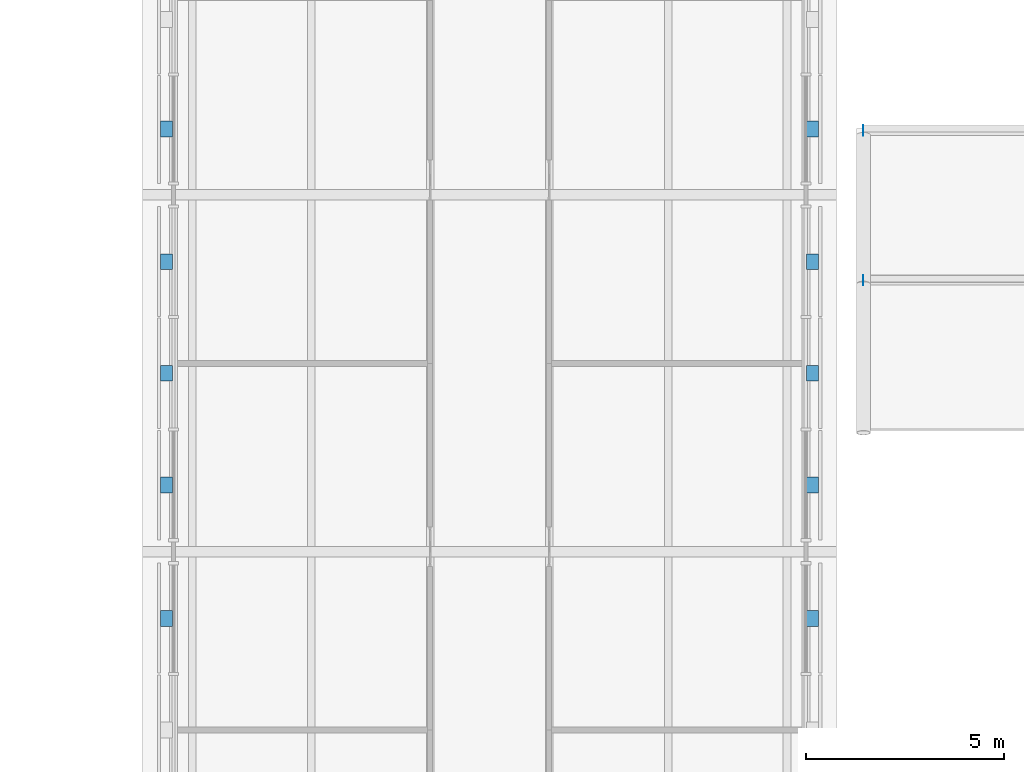
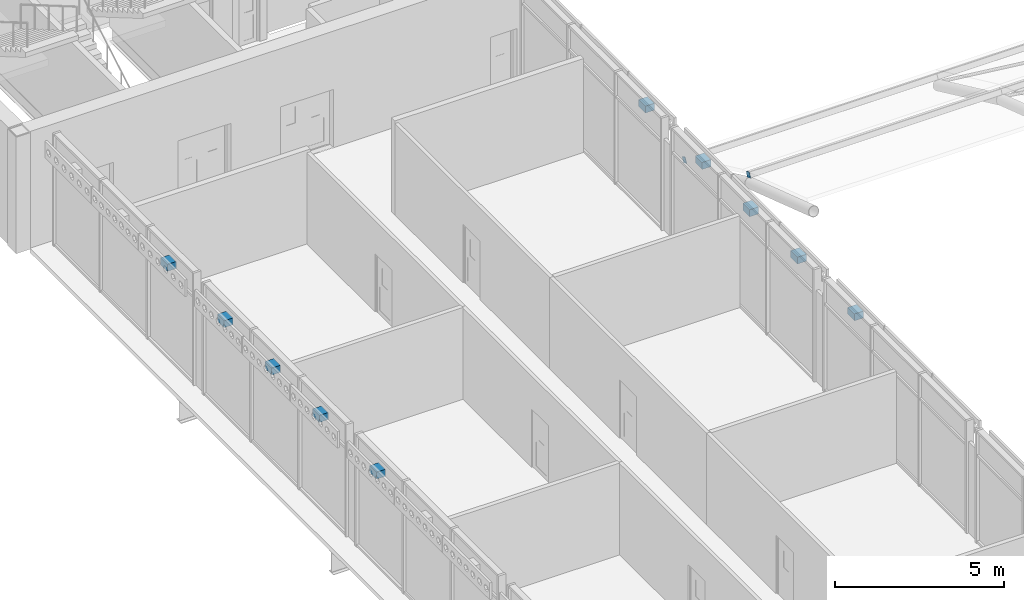
# One storey, part 31 of 54: 12 discrete accessories.
"""IFC4 building model written with IfcOpenShell, lengths in metres."""

from ifc_helpers import new_model, si_unit, direction, frame, origin, origin_2d, place, context, subcontext, project, spatial, rectangle, extrude, material, type_object, element, save


model = new_model("IFC4")

# Units and contexts
model_context = context("Model", 3, precision=1e-05, world=origin(), true_north=direction((0.0, 1.0)))
body_context = subcontext(model_context, "Body", "Model", "MODEL_VIEW")
ifc_project = project(units=[si_unit("LENGTHUNIT", "METRE"), si_unit("AREAUNIT", "SQUARE_METRE"), si_unit("VOLUMEUNIT", "CUBIC_METRE"), si_unit("PLANEANGLEUNIT", "RADIAN"), si_unit("MASSUNIT", "GRAM", prefix="KILO")], contexts=[model_context])

# Site, building, storey
site_placement = place(None, origin())
site = spatial("IfcSite", under=ifc_project, at=site_placement, CompositionType="ELEMENT")
building_placement = place(site_placement, origin())
building = spatial("IfcBuilding", under=site, at=building_placement, Name="Baradari Gate Terminus", CompositionType="ELEMENT")
storey_placement = place(building_placement, frame((0.0, 0.0, 15.89990234375)))
storey = spatial("IfcBuildingStorey", under=building, at=storey_placement, Name="L03", CompositionType="ELEMENT", Elevation=15.89990234375)

# Discrete accessories
ifc_material_1 = material(Name="Steel S355", Category="steel")
discrete_accessory_type_1 = type_object("IfcDiscreteAccessoryType", Name="Hollow section end plate EP-1 200x200x10", PredefinedType="ANCHORPLATE", material=ifc_material_1)
for number, where, z_axis, x_axis, name in (
    (1, (90.417724609375, 69.848388671875, 2.93359375), (1.0, 0.0, 0.0), (0.0, 0.928965199535, -0.370167067759), "End plate EP-1 at the start of TR/L03/B99-PU09"),
    (2, (90.417724609375, 73.624755859375, 1.17138671875), (1.0, 0.0, 0.0), (0.0, 0.883026855482, -0.469322461106), "End plate EP-1 at the start of TR/L03/B99-PU10"),
):
    element("IfcDiscreteAccessory", number, at=place(storey_placement, frame(where, z_axis=z_axis, x_axis=x_axis)), inside=storey, type_object=discrete_accessory_type_1, Name=name, PredefinedType="ANCHORPLATE", context=body_context, shape_type="SweptSolid", body=[
        extrude(rectangle(XDim=0.199951171875, YDim=0.199951171875, at=origin_2d()), origin(), (0.0, 0.0, 1.0), 0.010009765625),
    ])
ifc_material_2 = material(Name="Stainless steel 316", Category="steel")
discrete_accessory_type_2 = type_object("IfcDiscreteAccessoryType", Name="Jali screen bracket BK-2 stainless steel", PredefinedType="BRACKET", material=ifc_material_2)
for number, where, z_axis, x_axis, name in (
    (3, (72.8525390625, 61.313232421875, 3.455078125), (0.0, 0.0, 1.0), (-1.0, 0.0, 0.0), "Jali screen bracket BK-2 L03/GW3 bay 3"),
    (4, (72.8525390625, 64.686767578125, 3.455078125), (0.0, 0.0, 1.0), (-1.0, 0.0, 0.0), "Jali screen bracket BK-2 L03/GW4 bay 1"),
    (5, (72.8525390625, 67.5, 3.455078125), (0.0, 0.0, 1.0), (-1.0, 0.0, 0.0), "Jali screen bracket BK-2 L03/GW4 bay 2"),
    (6, (72.8525390625, 70.313232421875, 3.455078125), (0.0, 0.0, 1.0), (-1.0, 0.0, 0.0), "Jali screen bracket BK-2 L03/GW4 bay 3"),
    (7, (72.8525390625, 73.66162109375, 3.455078125), (0.0, 0.0, 1.0), (-1.0, 0.0, 0.0), "Jali screen bracket BK-2 L03/GW5 bay 1"),
    (8, (89.1474609375, 61.313232421875, 3.455078125), (0.0, 0.0, 1.0), (1.0, 0.0, 0.0), "Jali screen bracket BK-2 L03/GE3 bay 3"),
    (9, (89.1474609375, 64.686767578125, 3.455078125), (0.0, 0.0, 1.0), (1.0, 0.0, 0.0), "Jali screen bracket BK-2 L03/GE4 bay 1"),
    (10, (89.1474609375, 67.5, 3.455078125), (0.0, 0.0, 1.0), (1.0, 0.0, 0.0), "Jali screen bracket BK-2 L03/GE4 bay 2"),
    (11, (89.1474609375, 70.313232421875, 3.455078125), (0.0, 0.0, 1.0), (1.0, 0.0, 0.0), "Jali screen bracket BK-2 L03/GE4 bay 3"),
    (12, (89.1474609375, 73.66162109375, 3.455078125), (0.0, 0.0, 1.0), (1.0, 0.0, 0.0), "Jali screen bracket BK-2 L03/GE5 bay 1"),
):
    element("IfcDiscreteAccessory", number, at=place(storey_placement, frame(where, z_axis=z_axis, x_axis=x_axis)), inside=storey, type_object=discrete_accessory_type_2, Name=name, PredefinedType="BRACKET", context=body_context, shape_type="SweptSolid", body=[
        extrude(rectangle(XDim=0.304931640625, YDim=0.39990234375, at=origin_2d()), origin(), (0.0, 0.0, 1.0), 0.25),
    ])

save(model, "model.ifc")
